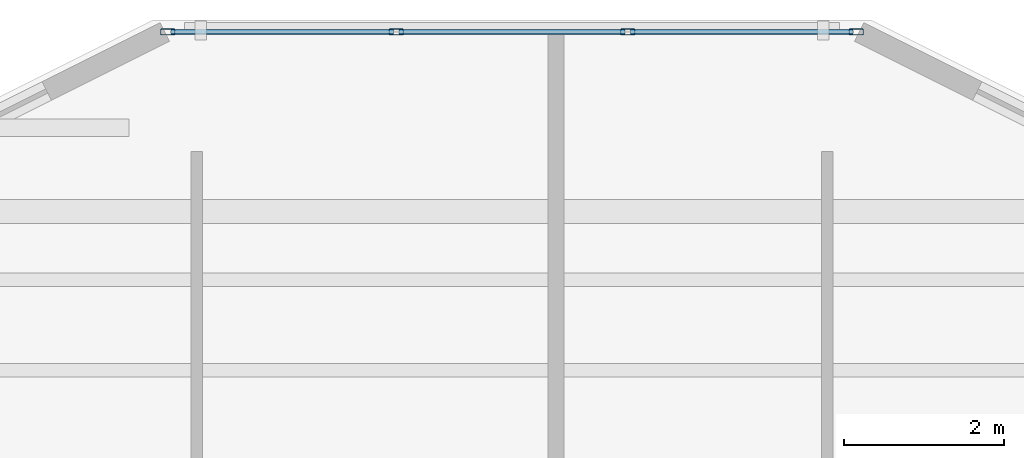
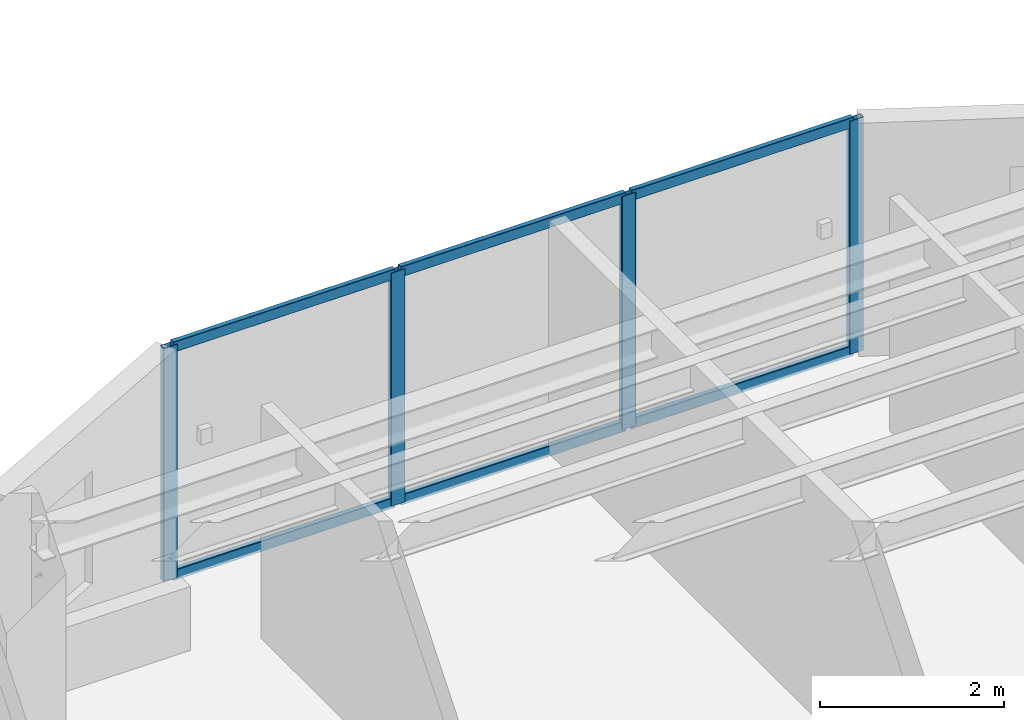
# One storey, part 4 of 15: 10 members, 1 element without a shape of its own.
"""IFC4 building model written with IfcOpenShell, lengths in metres."""

from ifc_helpers import new_model, si_unit, direction, frame, origin, origin_2d, place, context, subcontext, project, spatial, hollow_rectangle, extrude, material, layer, layer_set, material_profile, profile_set, type_object, element, aggregate, save


model = new_model("IFC4")

# Units and contexts
model_context = context("Model", 3, precision=1e-05, world=origin(), true_north=direction((0.0, 1.0)))
body_context = subcontext(model_context, "Body", "Model", "MODEL_VIEW")
ifc_project = project(units=[si_unit("LENGTHUNIT", "METRE"), si_unit("AREAUNIT", "SQUARE_METRE"), si_unit("VOLUMEUNIT", "CUBIC_METRE"), si_unit("PLANEANGLEUNIT", "RADIAN"), si_unit("MASSUNIT", "GRAM", prefix="KILO")], contexts=[model_context])

# Site, building, storey
site_placement = place(None, origin())
site = spatial("IfcSite", under=ifc_project, at=site_placement, CompositionType="ELEMENT")
building_placement = place(site_placement, origin())
building = spatial("IfcBuilding", under=site, at=building_placement, Name="Tarnavaz Court Tower", CompositionType="ELEMENT")
storey_placement = place(building_placement, frame((0.0, 0.0, 186.89990234375)))
storey = spatial("IfcBuildingStorey", under=building, at=storey_placement, Name="L50", CompositionType="ELEMENT", Elevation=186.89990234375)

# Curtain wall, members
ifc_material_1 = material(Name="Anodised Aluminium 6063-T6 and Solar Low-E Glazing", Category="aluminium")
ifc_layer = layer(ifc_material_1, 0.159912109375)
ifc_layer_set = layer_set([ifc_layer], Name="Anodised Aluminium 6063-T6 and Solar Low-E Glazing")
curtain_wall_type = type_object("IfcCurtainWallType", Name="CW-SYS-03", PredefinedType="NOTDEFINED", material=ifc_layer_set)
curtain_wall_placement = place(storey_placement, origin())
curtain_wall = element("IfcCurtainWall", 1, at=curtain_wall_placement, inside=storey, type_object=curtain_wall_type, Name="L50 Iwan Prow Curtain Wall 7", PredefinedType="NOTDEFINED")
ifc_material_2 = material(Name="Anodised Aluminium 6063-T6", Category="aluminium")
ifc_material_profile_1 = material_profile(ifc_material_2, hollow_rectangle(XDim=0.074951171875, YDim=0.179931640625, WallThickness=0.0048828125, InnerFilletRadius=0.0048828125, OuterFilletRadius=0.010009765625, at=origin_2d()), Name="ALU RHS 180X75X5")
ifc_profile_set_1 = profile_set([ifc_material_profile_1], Name="Anodised Aluminium 6063-T6")
member_type_1 = type_object("IfcMemberType", Name="CW-MUL-180", PredefinedType="MULLION", material=ifc_profile_set_1)
member_1_placement = place(storey_placement, frame((-4.3125, 22.35009765625, 0.0), z_axis=(0.0, 0.0, 1.0), x_axis=(0.0, 1.0, 0.0)))
member_1 = element("IfcMember", 2, at=member_1_placement, type_object=member_type_1, Name="CW mullion 1", PredefinedType="MULLION", context=body_context, shape_type="SweptSolid", body=[
    extrude(hollow_rectangle(XDim=0.074951171875, YDim=0.179931640625, WallThickness=0.0048828125, InnerFilletRadius=0.0048828125, OuterFilletRadius=0.010009765625, at=origin_2d()), origin(), (0.0, 0.0, 1.0), 3.10009765625),
])
member_2_placement = place(storey_placement, frame((-1.449951171875, 22.35009765625, 0.0), z_axis=(0.0, 0.0, 1.0), x_axis=(0.0, 1.0, 0.0)))
member_2 = element("IfcMember", 3, at=member_2_placement, type_object=member_type_1, Name="CW mullion 2", PredefinedType="MULLION", context=body_context, shape_type="SweptSolid", body=[
    extrude(hollow_rectangle(XDim=0.074951171875, YDim=0.179931640625, WallThickness=0.0048828125, InnerFilletRadius=0.0048828125, OuterFilletRadius=0.010009765625, at=origin_2d()), origin(), (0.0, 0.0, 1.0), 3.10009765625),
])
member_3_placement = place(storey_placement, frame((1.449951171875, 22.35009765625, 0.0), z_axis=(0.0, 0.0, 1.0), x_axis=(0.0, 1.0, 0.0)))
member_3 = element("IfcMember", 4, at=member_3_placement, type_object=member_type_1, Name="CW mullion 3", PredefinedType="MULLION", context=body_context, shape_type="SweptSolid", body=[
    extrude(hollow_rectangle(XDim=0.074951171875, YDim=0.179931640625, WallThickness=0.0048828125, InnerFilletRadius=0.0048828125, OuterFilletRadius=0.010009765625, at=origin_2d()), origin(), (0.0, 0.0, 1.0), 3.10009765625),
])
member_4_placement = place(storey_placement, frame((4.3125, 22.35009765625, 0.0), z_axis=(0.0, 0.0, 1.0), x_axis=(0.0, 1.0, 0.0)))
member_4 = element("IfcMember", 5, at=member_4_placement, type_object=member_type_1, Name="CW mullion 4", PredefinedType="MULLION", context=body_context, shape_type="SweptSolid", body=[
    extrude(hollow_rectangle(XDim=0.074951171875, YDim=0.179931640625, WallThickness=0.0048828125, InnerFilletRadius=0.0048828125, OuterFilletRadius=0.010009765625, at=origin_2d()), origin(), (0.0, 0.0, 1.0), 3.10009765625),
])
ifc_material_profile_2 = material_profile(ifc_material_2, hollow_rectangle(XDim=0.06494140625, YDim=0.139892578125, WallThickness=0.00390625, InnerFilletRadius=0.00390625, OuterFilletRadius=0.008056640625, at=origin_2d()), Name="ALU RHS 140X65X4")
ifc_profile_set_2 = profile_set([ifc_material_profile_2], Name="Anodised Aluminium 6063-T6")
member_type_2 = type_object("IfcMemberType", Name="CW-TRN-140", PredefinedType="USERDEFINED", material=ifc_profile_set_2)
member_5_placement = place(storey_placement, frame((-4.27490234375, 22.35009765625, 0.03271484375), z_axis=(1.0, 0.0, 0.0), x_axis=(0.0, 1.0, 0.0)))
member_5 = element("IfcMember", 6, at=member_5_placement, type_object=member_type_2, Name="CW transom 1.1", ObjectType="TRANSOM", PredefinedType="USERDEFINED", context=body_context, shape_type="SweptSolid", body=[
    extrude(hollow_rectangle(XDim=0.06494140625, YDim=0.139892578125, WallThickness=0.00390625, InnerFilletRadius=0.00390625, OuterFilletRadius=0.008056640625, at=origin_2d()), origin(), (0.0, 0.0, 1.0), 2.787353515625),
])
member_6_placement = place(storey_placement, frame((-4.27490234375, 22.35009765625, 3.067626953125), z_axis=(1.0, 0.0, 0.0), x_axis=(0.0, 1.0, 0.0)))
member_6 = element("IfcMember", 7, at=member_6_placement, type_object=member_type_2, Name="CW transom 1.2", ObjectType="TRANSOM", PredefinedType="USERDEFINED", context=body_context, shape_type="SweptSolid", body=[
    extrude(hollow_rectangle(XDim=0.06494140625, YDim=0.139892578125, WallThickness=0.00390625, InnerFilletRadius=0.00390625, OuterFilletRadius=0.008056640625, at=origin_2d()), origin(), (0.0, 0.0, 1.0), 2.787353515625),
])
member_7_placement = place(storey_placement, frame((-1.41259765625, 22.35009765625, 0.03271484375), z_axis=(1.0, 0.0, 0.0), x_axis=(0.0, 1.0, 0.0)))
member_7 = element("IfcMember", 8, at=member_7_placement, type_object=member_type_2, Name="CW transom 2.1", ObjectType="TRANSOM", PredefinedType="USERDEFINED", context=body_context, shape_type="SweptSolid", body=[
    extrude(hollow_rectangle(XDim=0.06494140625, YDim=0.139892578125, WallThickness=0.00390625, InnerFilletRadius=0.00390625, OuterFilletRadius=0.008056640625, at=origin_2d()), origin(), (0.0, 0.0, 1.0), 2.8251953125),
])
member_8_placement = place(storey_placement, frame((-1.41259765625, 22.35009765625, 3.067626953125), z_axis=(1.0, 0.0, 0.0), x_axis=(0.0, 1.0, 0.0)))
member_8 = element("IfcMember", 9, at=member_8_placement, type_object=member_type_2, Name="CW transom 2.2", ObjectType="TRANSOM", PredefinedType="USERDEFINED", context=body_context, shape_type="SweptSolid", body=[
    extrude(hollow_rectangle(XDim=0.06494140625, YDim=0.139892578125, WallThickness=0.00390625, InnerFilletRadius=0.00390625, OuterFilletRadius=0.008056640625, at=origin_2d()), origin(), (0.0, 0.0, 1.0), 2.8251953125),
])
member_9_placement = place(storey_placement, frame((1.487548828125, 22.35009765625, 0.03271484375), z_axis=(1.0, 0.0, 0.0), x_axis=(0.0, 1.0, 0.0)))
member_9 = element("IfcMember", 10, at=member_9_placement, type_object=member_type_2, Name="CW transom 3.1", ObjectType="TRANSOM", PredefinedType="USERDEFINED", context=body_context, shape_type="SweptSolid", body=[
    extrude(hollow_rectangle(XDim=0.06494140625, YDim=0.139892578125, WallThickness=0.00390625, InnerFilletRadius=0.00390625, OuterFilletRadius=0.008056640625, at=origin_2d()), origin(), (0.0, 0.0, 1.0), 2.787353515625),
])
member_10_placement = place(storey_placement, frame((1.487548828125, 22.35009765625, 3.067626953125), z_axis=(1.0, 0.0, 0.0), x_axis=(0.0, 1.0, 0.0)))
member_10 = element("IfcMember", 11, at=member_10_placement, type_object=member_type_2, Name="CW transom 3.2", ObjectType="TRANSOM", PredefinedType="USERDEFINED", context=body_context, shape_type="SweptSolid", body=[
    extrude(hollow_rectangle(XDim=0.06494140625, YDim=0.139892578125, WallThickness=0.00390625, InnerFilletRadius=0.00390625, OuterFilletRadius=0.008056640625, at=origin_2d()), origin(), (0.0, 0.0, 1.0), 2.787353515625),
])
aggregate(curtain_wall, [member_1, member_2, member_3, member_4, member_5, member_6, member_7, member_8, member_9, member_10])

save(model, "model.ifc")
